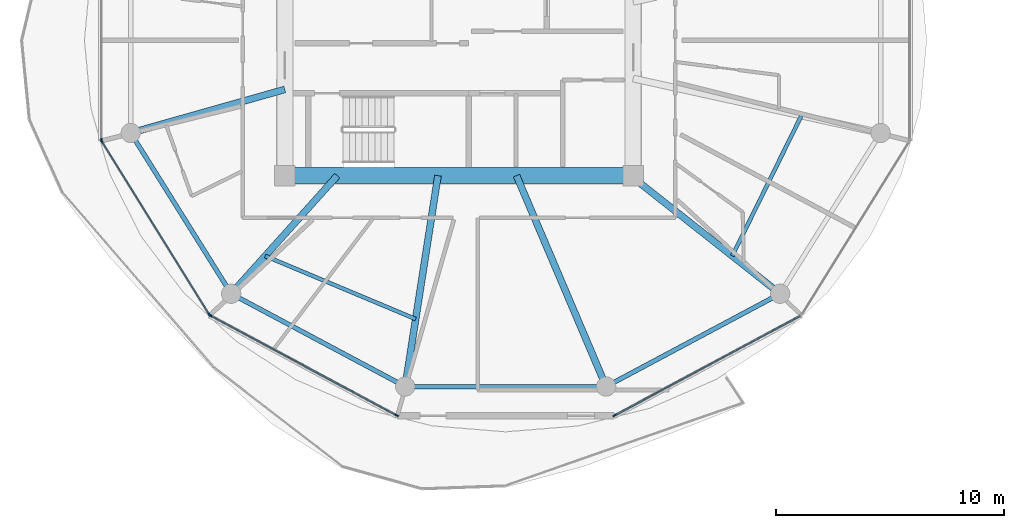
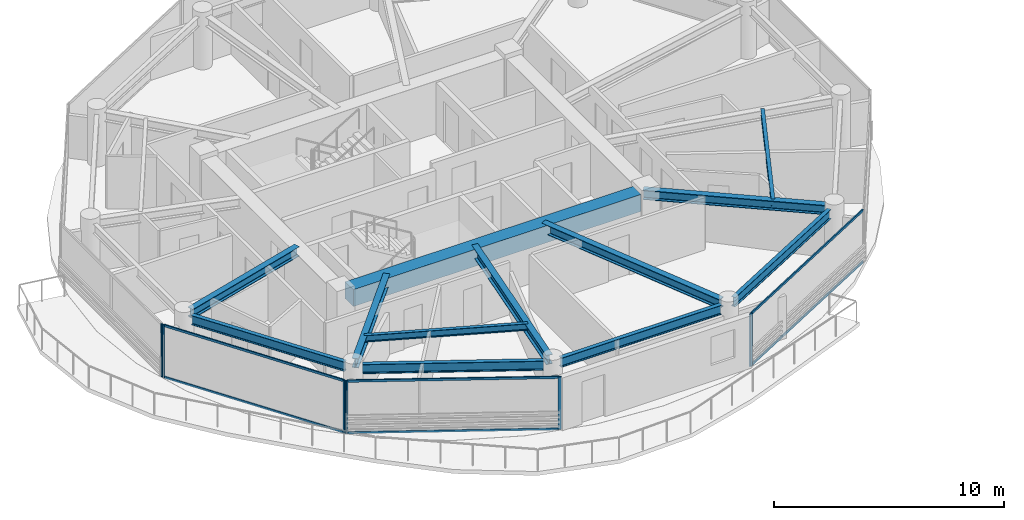
# One storey, part 2 of 24: 12 beams, 12 members, 4 elements without a shape of their own.
"""IFC4 building model written with IfcOpenShell, lengths in metres."""

from ifc_helpers import new_model, si_unit, direction, frame, origin, origin_2d, place, context, subcontext, project, spatial, rectangle, i_section, extrude, source, transform, mapped, material, layer, layer_set, material_profile, profile_set, type_object, type_shapes, element, aggregate, save


model = new_model("IFC4")

# Units and contexts
model_context = context("Model", 3, precision=1e-05, world=origin(), true_north=direction((0.0, 1.0)))
body_context = subcontext(model_context, "Body", "Model", "MODEL_VIEW")
ifc_project = project(units=[si_unit("LENGTHUNIT", "METRE"), si_unit("AREAUNIT", "SQUARE_METRE"), si_unit("VOLUMEUNIT", "CUBIC_METRE"), si_unit("PLANEANGLEUNIT", "RADIAN"), si_unit("MASSUNIT", "GRAM", prefix="KILO")], contexts=[model_context])

# Site, building, storey
site_placement = place(None, origin())
site = spatial("IfcSite", under=ifc_project, at=site_placement, CompositionType="ELEMENT")
building_placement = place(site_placement, origin())
building = spatial("IfcBuilding", under=site, at=building_placement, Name="Norrkilde Senior Care Towers", CompositionType="ELEMENT")
storey_placement = place(building_placement, frame((0.0, 0.0, 102.35009765625)))
storey = spatial("IfcBuildingStorey", under=building, at=storey_placement, Name="L31", CompositionType="ELEMENT", Elevation=102.35009765625)

# Beams
ifc_material_1 = material(Name="Concrete C60/75", Category="concrete")
ifc_material_profile_1 = material_profile(ifc_material_1, rectangle(XDim=0.699951171875, YDim=0.89990234375, at=origin_2d()), Name="RC BM 700x900")
ifc_profile_set_1 = profile_set([ifc_material_profile_1], Name="Concrete C60/75")
beam_type_1 = type_object("IfcBeamType", Name="Core Coupling Girder 700x900", PredefinedType="USERDEFINED", material=ifc_profile_set_1)
shared_shape_1 = source(origin(), body_context, "Body", "SweptSolid", [
    extrude(rectangle(XDim=0.699951171875, YDim=0.89990234375, at=origin_2d()), origin(), (0.0, 0.0, 1.0), 14.43994140625),
])
type_shapes(beam_type_1, [shared_shape_1])
beam_1_placement = place(storey_placement, frame((-35.219970703125, -5.949951171875, 2.33984375), z_axis=(1.0, 0.0, 0.0), x_axis=(0.0, 1.0, 0.0)))
element("IfcBeam", 1, at=beam_1_placement, inside=storey, type_object=beam_type_1, Name="L31 Core W S Coupling Girder", ObjectType="GIRDER", PredefinedType="USERDEFINED", context=body_context, shape_type="MappedRepresentation", body=[
    mapped(shared_shape_1, transform((0.0, 0.0, 0.0), x_axis=(1.0, 0.0, 0.0), y_axis=(0.0, 1.0, 0.0), z_axis=(0.0, 0.0, 1.0), scale=1.0)),
])
ifc_material_2 = material(Name="Steel S355", Category="steel")
ifc_material_profile_2 = material_profile(ifc_material_2, i_section(OverallWidth=0.199951171875, OverallDepth=0.5, WebThickness=0.01025390625, FlangeThickness=0.01611328125, FilletRadius=0.02099609375, at=origin_2d()), Name="IPE 500")
ifc_profile_set_2 = profile_set([ifc_material_profile_2], Name="Steel S355")
beam_type_2 = type_object("IfcBeamType", Name="Perimeter Ring Spandrel Z2 IPE500", PredefinedType="SPANDREL", material=ifc_profile_set_2)
shared_shape_2 = source(origin(), body_context, "Body", "SweptSolid", [
    extrude(i_section(OverallWidth=0.199951171875, OverallDepth=0.5, WebThickness=0.01025390625, FlangeThickness=0.01611328125, FilletRadius=0.02099609375, at=origin_2d()), origin(), (0.0, 0.0, 1.0), 7.892333984375),
])
for number, where, z_axis, x_axis, name in (
    (2, (-37.66650390625, -11.318115234375, 2.539794921875), (0.882350372282, -0.47059305194, 0.0), (0.47059305194, 0.882350372282, 0.0), "L31 Drum W Perimeter Spandrel 08"),
    (3, (-21.197509765625, -15.0322265625, 2.539794921875), (0.882350372282, 0.47059305194, 0.0), (-0.47059305194, 0.882350372282, 0.0), "L31 Drum W Perimeter Spandrel 10"),
):
    element("IfcBeam", number, at=place(storey_placement, frame(where, z_axis=z_axis, x_axis=x_axis)), inside=storey, type_object=beam_type_2, Name=name, PredefinedType="SPANDREL", context=body_context, shape_type="MappedRepresentation", body=[
        mapped(shared_shape_2, transform((0.0, 0.0, 0.0), x_axis=(1.0, 0.0, 0.0), y_axis=(0.0, 1.0, 0.0), z_axis=(0.0, 0.0, 1.0), scale=1.0)),
    ])
ifc_material_profile_3 = material_profile(ifc_material_2, i_section(OverallWidth=0.300048828125, OverallDepth=0.5, WebThickness=0.014404296875, FlangeThickness=0.028076171875, FilletRadius=0.027099609375, at=origin_2d()), Name="HEB 500")
ifc_profile_set_3 = profile_set([ifc_material_profile_3], Name="Steel S355")
beam_type_3 = type_object("IfcBeamType", Name="Radial Floor Beam Z2 HEB500", PredefinedType="BEAM", material=ifc_profile_set_3)
shared_shape_3 = source(origin(), body_context, "Body", "SweptSolid", [
    extrude(i_section(OverallWidth=0.300048828125, OverallDepth=0.5, WebThickness=0.014404296875, FlangeThickness=0.028076171875, FilletRadius=0.027099609375, at=origin_2d()), origin(), (0.0, 0.0, 1.0), 7.985595703125),
])
beam_2_placement = place(storey_placement, frame((-20.463623046875, -5.949951171875, 2.539794921875), z_axis=(0.784858505144, -0.619675017169, 0.0), x_axis=(0.619675017169, 0.784858505144, 0.0)))
element("IfcBeam", 4, at=beam_2_placement, inside=storey, type_object=beam_type_3, Name="L31 Drum W Radial Floor Beam 11", PredefinedType="BEAM", context=body_context, shape_type="MappedRepresentation", body=[
    mapped(shared_shape_3, transform((0.0, 0.0, 0.0), x_axis=(1.0, 0.0, 0.0), y_axis=(0.0, 1.0, 0.0), z_axis=(0.0, 0.0, 1.0), scale=1.0)),
])
shared_shape_4 = source(origin(), body_context, "Body", "SweptSolid", [
    extrude(i_section(OverallWidth=0.199951171875, OverallDepth=0.5, WebThickness=0.01025390625, FlangeThickness=0.01611328125, FilletRadius=0.02099609375, at=origin_2d()), origin(), (0.0, 0.0, 1.0), 8.0556640625),
])
beam_3_placement = place(storey_placement, frame((-29.977783203125, -15.21337890625, 2.539794921875), z_axis=(1.0, 0.0, 0.0), x_axis=(0.0, 1.0, 0.0)))
element("IfcBeam", 5, at=beam_3_placement, inside=storey, type_object=beam_type_2, Name="L31 Drum W Perimeter Spandrel 09", PredefinedType="SPANDREL", context=body_context, shape_type="MappedRepresentation", body=[
    mapped(shared_shape_4, transform((0.0, 0.0, 0.0), x_axis=(1.0, 0.0, 0.0), y_axis=(0.0, 1.0, 0.0), z_axis=(0.0, 0.0, 1.0), scale=1.0)),
])
shared_shape_5 = source(origin(), body_context, "Body", "SweptSolid", [
    extrude(i_section(OverallWidth=0.300048828125, OverallDepth=0.5, WebThickness=0.014404296875, FlangeThickness=0.028076171875, FilletRadius=0.027099609375, at=origin_2d()), origin(), (0.0, 0.0, 1.0), 9.679443359375),
])
beam_4_placement = place(storey_placement, frame((-25.472412109375, -5.949951171875, 2.539794921875), z_axis=(0.390998033479, -0.920391513333, 0.0), x_axis=(0.920391513333, 0.390998033479, 0.0)))
element("IfcBeam", 6, at=beam_4_placement, inside=storey, type_object=beam_type_3, Name="L31 Drum W Radial Floor Beam 10", PredefinedType="BEAM", context=body_context, shape_type="MappedRepresentation", body=[
    mapped(shared_shape_5, transform((0.0, 0.0, 0.0), x_axis=(1.0, 0.0, 0.0), y_axis=(0.0, 1.0, 0.0), z_axis=(0.0, 0.0, 1.0), scale=1.0)),
])
shared_shape_6 = source(origin(), body_context, "Body", "SweptSolid", [
    extrude(i_section(OverallWidth=0.300048828125, OverallDepth=0.5, WebThickness=0.014404296875, FlangeThickness=0.028076171875, FilletRadius=0.027099609375, at=origin_2d()), origin(), (0.0, 0.0, 1.0), 8.989501953125),
])
beam_5_placement = place(storey_placement, frame((-28.924072265625, -5.949951171875, 2.539794921875), z_axis=(-0.153471298636, -0.988153105796, 0.0), x_axis=(0.988153105796, -0.153471298636, 0.0)))
element("IfcBeam", 7, at=beam_5_placement, inside=storey, type_object=beam_type_3, Name="L31 Drum W Radial Floor Beam 09", PredefinedType="BEAM", context=body_context, shape_type="MappedRepresentation", body=[
    mapped(shared_shape_6, transform((0.0, 0.0, 0.0), x_axis=(1.0, 0.0, 0.0), y_axis=(0.0, 1.0, 0.0), z_axis=(0.0, 0.0, 1.0), scale=1.0)),
])
shared_shape_7 = source(origin(), body_context, "Body", "SweptSolid", [
    extrude(i_section(OverallWidth=0.199951171875, OverallDepth=0.5, WebThickness=0.01025390625, FlangeThickness=0.01611328125, FilletRadius=0.02099609375, at=origin_2d()), origin(), (0.0, 0.0, 1.0), 7.556396484375),
])
type_shapes(beam_type_2, [shared_shape_2, shared_shape_4, shared_shape_7])
beam_6_placement = place(storey_placement, frame((-42.215087890625, -4.40283203125, 2.539794921875), z_axis=(0.530004748437, -0.847994673706, 0.0), x_axis=(0.847994673706, 0.530004748437, 0.0)))
element("IfcBeam", 8, at=beam_6_placement, inside=storey, type_object=beam_type_2, Name="L31 Drum W Perimeter Spandrel 07", PredefinedType="SPANDREL", context=body_context, shape_type="MappedRepresentation", body=[
    mapped(shared_shape_7, transform((0.0, 0.0, 0.0), x_axis=(1.0, 0.0, 0.0), y_axis=(0.0, 1.0, 0.0), z_axis=(0.0, 0.0, 1.0), scale=1.0)),
])
shared_shape_8 = source(origin(), body_context, "Body", "SweptSolid", [
    extrude(i_section(OverallWidth=0.300048828125, OverallDepth=0.5, WebThickness=0.014404296875, FlangeThickness=0.028076171875, FilletRadius=0.027099609375, at=origin_2d()), origin(), (0.0, 0.0, 1.0), 6.587890625),
])
beam_7_placement = place(storey_placement, frame((-33.345947265625, -5.949951171875, 2.539794921875), z_axis=(-0.668315438605, -0.743877997068, 0.0), x_axis=(0.743877997068, -0.668315438605, 0.0)))
element("IfcBeam", 9, at=beam_7_placement, inside=storey, type_object=beam_type_3, Name="L31 Drum W Radial Floor Beam 08", PredefinedType="BEAM", context=body_context, shape_type="MappedRepresentation", body=[
    mapped(shared_shape_8, transform((0.0, 0.0, 0.0), x_axis=(1.0, 0.0, 0.0), y_axis=(0.0, 1.0, 0.0), z_axis=(0.0, 0.0, 1.0), scale=1.0)),
])
shared_shape_9 = source(origin(), body_context, "Body", "SweptSolid", [
    extrude(i_section(OverallWidth=0.300048828125, OverallDepth=0.5, WebThickness=0.014404296875, FlangeThickness=0.028076171875, FilletRadius=0.027099609375, at=origin_2d()), origin(), (0.0, 0.0, 1.0), 6.6494140625),
])
type_shapes(beam_type_3, [shared_shape_3, shared_shape_5, shared_shape_6, shared_shape_8, shared_shape_9])
beam_8_placement = place(storey_placement, frame((-35.64990234375, -2.162841796875, 2.539794921875), z_axis=(-0.962289138357, -0.27202870106, 0.0), x_axis=(0.27202870106, -0.962289138357, 0.0)))
element("IfcBeam", 10, at=beam_8_placement, inside=storey, type_object=beam_type_3, Name="L31 Drum W Radial Floor Beam 07", PredefinedType="BEAM", context=body_context, shape_type="MappedRepresentation", body=[
    mapped(shared_shape_9, transform((0.0, 0.0, 0.0), x_axis=(1.0, 0.0, 0.0), y_axis=(0.0, 1.0, 0.0), z_axis=(0.0, 0.0, 1.0), scale=1.0)),
])
ifc_material_profile_4 = material_profile(ifc_material_2, i_section(OverallWidth=0.169921875, OverallDepth=0.360107421875, WebThickness=0.008056640625, FlangeThickness=0.0126953125, FilletRadius=0.01806640625, at=origin_2d()), Name="IPE 360")
ifc_profile_set_4 = profile_set([ifc_material_profile_4], Name="Steel S355")
beam_type_4 = type_object("IfcBeamType", Name="Secondary Floor Joist IPE360", PredefinedType="JOIST", material=ifc_profile_set_4)
shared_shape_10 = source(origin(), body_context, "Body", "SweptSolid", [
    extrude(i_section(OverallWidth=0.169921875, OverallDepth=0.360107421875, WebThickness=0.008056640625, FlangeThickness=0.0126953125, FilletRadius=0.01806640625, at=origin_2d()), origin(), (0.0, 0.0, 1.0), 7.169921875),
])
beam_9_placement = place(storey_placement, frame((-36.514892578125, -9.47705078125, 2.60986328125), z_axis=(0.922240600393, -0.386616444279, 0.0), x_axis=(0.386616444279, 0.922240600393, 0.0)))
element("IfcBeam", 11, at=beam_9_placement, inside=storey, type_object=beam_type_4, Name="L31 Drum W Secondary Floor Joist 3", PredefinedType="JOIST", context=body_context, shape_type="MappedRepresentation", body=[
    mapped(shared_shape_10, transform((0.0, 0.0, 0.0), x_axis=(1.0, 0.0, 0.0), y_axis=(0.0, 1.0, 0.0), z_axis=(0.0, 0.0, 1.0), scale=1.0)),
])
shared_shape_11 = source(origin(), body_context, "Body", "SweptSolid", [
    extrude(i_section(OverallWidth=0.169921875, OverallDepth=0.360107421875, WebThickness=0.008056640625, FlangeThickness=0.0126953125, FilletRadius=0.01806640625, at=origin_2d()), origin(), (0.0, 0.0, 1.0), 6.87353515625),
])
type_shapes(beam_type_4, [shared_shape_10, shared_shape_11])
beam_10_placement = place(storey_placement, frame((-15.99609375, -9.47705078125, 2.60986328125), z_axis=(0.44184939592, 0.897089243791, 0.0), x_axis=(-0.897089243791, 0.44184939592, 0.0)))
element("IfcBeam", 12, at=beam_10_placement, inside=storey, type_object=beam_type_4, Name="L31 Drum W Secondary Floor Joist 4", PredefinedType="JOIST", context=body_context, shape_type="MappedRepresentation", body=[
    mapped(shared_shape_11, transform((0.0, 0.0, 0.0), x_axis=(1.0, 0.0, 0.0), y_axis=(0.0, 1.0, 0.0), z_axis=(0.0, 0.0, 1.0), scale=1.0)),
])

# Curtain wall, member
ifc_material_3 = material(Name="Triple Low-E Insulated Glazing", Category="glass")
ifc_layer = layer(ifc_material_3, 0.195068359375)
ifc_layer_set = layer_set([ifc_layer], Name="Triple Low-E Insulated Glazing")
curtain_wall_type = type_object("IfcCurtainWallType", Name="CW3 Zone 2 Assisted Living Curtain Wall", PredefinedType="NOTDEFINED", material=ifc_layer_set)
curtain_wall_1_placement = place(storey_placement, origin())
curtain_wall_1 = element("IfcCurtainWall", 13, at=curtain_wall_1_placement, inside=storey, type_object=curtain_wall_type, Name="L31 Drum W Curtain Wall 05", PredefinedType="NOTDEFINED")
ifc_material_4 = material(Name="Anodised Aluminium", Category="aluminium")
ifc_material_profile_5 = material_profile(ifc_material_4, rectangle(XDim=0.06494140625, YDim=0.159912109375, at=origin_2d()), Name="ALU MULL 65x160")
ifc_profile_set_5 = profile_set([ifc_material_profile_5], Name="Anodised Aluminium")
member_type_1 = type_object("IfcMemberType", Name="Curtain Wall Mullion Z1-Z2 65x160", PredefinedType="MULLION", material=ifc_profile_set_5)
shared_shape_12 = source(origin(), body_context, "Body", "SweptSolid", [
    extrude(rectangle(XDim=0.06494140625, YDim=0.159912109375, at=origin_2d()), origin(), (0.0, 0.0, 1.0), 2.789794921875),
])
type_shapes(member_type_1, [shared_shape_12])
member_1_placement = place(storey_placement, frame((-43.70361328125, -4.38818359375, 0.0), z_axis=(0.0, 0.0, 1.0), x_axis=(-1.0, 0.0, 0.0)))
member_1 = element("IfcMember", 14, at=member_1_placement, type_object=member_type_1, Name="CW-3 mullion 1", PredefinedType="MULLION", context=body_context, shape_type="MappedRepresentation", body=[
    mapped(shared_shape_12, transform((0.0, 0.0, 0.0), x_axis=(1.0, 0.0, 0.0), y_axis=(0.0, 1.0, 0.0), z_axis=(0.0, 0.0, 1.0), scale=1.0)),
])
aggregate(curtain_wall_1, [member_1])

# Curtain wall, members
curtain_wall_2_placement = place(storey_placement, origin())
curtain_wall_2 = element("IfcCurtainWall", 15, at=curtain_wall_2_placement, inside=storey, type_object=curtain_wall_type, Name="L31 Drum W Curtain Wall 06", PredefinedType="NOTDEFINED")
member_2_placement = place(storey_placement, frame((-38.9638671875, -12.0498046875, 0.0), z_axis=(0.0, 0.0, 1.0), x_axis=(-0.849410171862, -0.527733228002, 0.0)))
member_2 = element("IfcMember", 16, at=member_2_placement, type_object=member_type_1, Name="CW-3 mullion 1", PredefinedType="MULLION", context=body_context, shape_type="MappedRepresentation", body=[
    mapped(shared_shape_12, transform((0.0, 0.0, 0.0), x_axis=(1.0, 0.0, 0.0), y_axis=(0.0, 1.0, 0.0), z_axis=(0.0, 0.0, 1.0), scale=1.0)),
])
member_3_placement = place(storey_placement, frame((-43.6865234375, -4.4482421875, 0.0), z_axis=(0.0, 0.0, 1.0), x_axis=(-0.849410171862, -0.527733228002, 0.0)))
member_3 = element("IfcMember", 17, at=member_3_placement, type_object=member_type_1, Name="CW-3 mullion 2", PredefinedType="MULLION", context=body_context, shape_type="MappedRepresentation", body=[
    mapped(shared_shape_12, transform((0.0, 0.0, 0.0), x_axis=(1.0, 0.0, 0.0), y_axis=(0.0, 1.0, 0.0), z_axis=(0.0, 0.0, 1.0), scale=1.0)),
])

curtain_wall_3_placement = place(storey_placement, origin())
curtain_wall_3 = element("IfcCurtainWall", 18, at=curtain_wall_3_placement, inside=storey, type_object=curtain_wall_type, Name="L31 Drum W Curtain Wall 07", PredefinedType="NOTDEFINED")
member_4_placement = place(storey_placement, frame((-30.73583984375, -16.482666015625, 0.0), z_axis=(0.0, 0.0, 1.0), x_axis=(-0.472769402511, -0.881186184668, 0.0)))
member_4 = element("IfcMember", 19, at=member_4_placement, type_object=member_type_1, Name="CW-3 mullion 1", PredefinedType="MULLION", context=body_context, shape_type="MappedRepresentation", body=[
    mapped(shared_shape_12, transform((0.0, 0.0, 0.0), x_axis=(1.0, 0.0, 0.0), y_axis=(0.0, 1.0, 0.0), z_axis=(0.0, 0.0, 1.0), scale=1.0)),
])
member_5_placement = place(storey_placement, frame((-38.91796875, -12.0927734375, 0.0), z_axis=(0.0, 0.0, 1.0), x_axis=(-0.472769402511, -0.881186184668, 0.0)))
member_5 = element("IfcMember", 20, at=member_5_placement, type_object=member_type_1, Name="CW-3 mullion 2", PredefinedType="MULLION", context=body_context, shape_type="MappedRepresentation", body=[
    mapped(shared_shape_12, transform((0.0, 0.0, 0.0), x_axis=(1.0, 0.0, 0.0), y_axis=(0.0, 1.0, 0.0), z_axis=(0.0, 0.0, 1.0), scale=1.0)),
])

# Curtain wall, member
curtain_wall_4_placement = place(storey_placement, origin())
curtain_wall_4 = element("IfcCurtainWall", 21, at=curtain_wall_4_placement, inside=storey, type_object=curtain_wall_type, Name="L31 Drum W Curtain Wall 09", PredefinedType="NOTDEFINED")
member_6_placement = place(storey_placement, frame((-21.164306640625, -16.482666015625, 0.0), z_axis=(0.0, 0.0, 1.0), x_axis=(0.472769402511, -0.881186184668, 0.0)))
member_6 = element("IfcMember", 22, at=member_6_placement, type_object=member_type_1, Name="CW-3 mullion 2", PredefinedType="MULLION", context=body_context, shape_type="MappedRepresentation", body=[
    mapped(shared_shape_12, transform((0.0, 0.0, 0.0), x_axis=(1.0, 0.0, 0.0), y_axis=(0.0, 1.0, 0.0), z_axis=(0.0, 0.0, 1.0), scale=1.0)),
])

# Member
ifc_material_profile_6 = material_profile(ifc_material_4, rectangle(XDim=0.06005859375, YDim=0.1201171875, at=origin_2d()), Name="ALU TRAN 60x120")
ifc_profile_set_6 = profile_set([ifc_material_profile_6], Name="Anodised Aluminium")
member_type_2 = type_object("IfcMemberType", Name="Curtain Wall Transom Typical 60x120", PredefinedType="USERDEFINED", material=ifc_profile_set_6)
shared_shape_13 = source(origin(), body_context, "Body", "SweptSolid", [
    extrude(rectangle(XDim=0.06005859375, YDim=0.1201171875, at=origin_2d()), origin(), (0.0, 0.0, 1.0), 8.88427734375),
])
member_7_placement = place(storey_placement, frame((-38.98095703125, -12.022216796875, 0.02978515625), z_axis=(-0.527729466743, 0.849412508697, 0.0), x_axis=(-0.849412508697, -0.527729466743, 0.0)))
member_7 = element("IfcMember", 23, at=member_7_placement, type_object=member_type_2, Name="CW-3 transom 1.1", ObjectType="TRANSOM", PredefinedType="USERDEFINED", context=body_context, shape_type="MappedRepresentation", body=[
    mapped(shared_shape_13, transform((0.0, 0.0, 0.0), x_axis=(1.0, 0.0, 0.0), y_axis=(0.0, 1.0, 0.0), z_axis=(0.0, 0.0, 1.0), scale=1.0)),
])

member_8_placement = place(storey_placement, frame((-38.98095703125, -12.022216796875, 2.760009765625), z_axis=(-0.527729466743, 0.849412508697, 0.0), x_axis=(-0.849412508697, -0.527729466743, 0.0)))
member_8 = element("IfcMember", 24, at=member_8_placement, type_object=member_type_2, Name="CW-3 transom 1.2", ObjectType="TRANSOM", PredefinedType="USERDEFINED", context=body_context, shape_type="MappedRepresentation", body=[
    mapped(shared_shape_13, transform((0.0, 0.0, 0.0), x_axis=(1.0, 0.0, 0.0), y_axis=(0.0, 1.0, 0.0), z_axis=(0.0, 0.0, 1.0), scale=1.0)),
])

aggregate(curtain_wall_2, [member_2, member_3, member_7, member_8])

shared_shape_14 = source(origin(), body_context, "Body", "SweptSolid", [
    extrude(rectangle(XDim=0.06005859375, YDim=0.1201171875, at=origin_2d()), origin(), (0.0, 0.0, 1.0), 9.220458984375),
])
type_shapes(member_type_2, [shared_shape_13, shared_shape_14])
member_9_placement = place(storey_placement, frame((-30.764404296875, -16.46728515625, 0.02978515625), z_axis=(-0.881188517866, 0.472765053681, 0.0), x_axis=(-0.472765053681, -0.881188517866, 0.0)))
member_9 = element("IfcMember", 25, at=member_9_placement, type_object=member_type_2, Name="CW-3 transom 1.1", ObjectType="TRANSOM", PredefinedType="USERDEFINED", context=body_context, shape_type="MappedRepresentation", body=[
    mapped(shared_shape_14, transform((0.0, 0.0, 0.0), x_axis=(1.0, 0.0, 0.0), y_axis=(0.0, 1.0, 0.0), z_axis=(0.0, 0.0, 1.0), scale=1.0)),
])

member_10_placement = place(storey_placement, frame((-30.764404296875, -16.46728515625, 2.760009765625), z_axis=(-0.881188517866, 0.472765053681, 0.0), x_axis=(-0.472765053681, -0.881188517866, 0.0)))
member_10 = element("IfcMember", 26, at=member_10_placement, type_object=member_type_2, Name="CW-3 transom 1.2", ObjectType="TRANSOM", PredefinedType="USERDEFINED", context=body_context, shape_type="MappedRepresentation", body=[
    mapped(shared_shape_14, transform((0.0, 0.0, 0.0), x_axis=(1.0, 0.0, 0.0), y_axis=(0.0, 1.0, 0.0), z_axis=(0.0, 0.0, 1.0), scale=1.0)),
])

aggregate(curtain_wall_3, [member_4, member_5, member_9, member_10])

member_11_placement = place(storey_placement, frame((-13.0107421875, -12.108154296875, 0.02978515625), z_axis=(-0.881188517866, -0.472765053681, 0.0), x_axis=(0.472765053681, -0.881188517866, 0.0)))
member_11 = element("IfcMember", 27, at=member_11_placement, type_object=member_type_2, Name="CW-3 transom 1.1", ObjectType="TRANSOM", PredefinedType="USERDEFINED", context=body_context, shape_type="MappedRepresentation", body=[
    mapped(shared_shape_14, transform((0.0, 0.0, 0.0), x_axis=(1.0, 0.0, 0.0), y_axis=(0.0, 1.0, 0.0), z_axis=(0.0, 0.0, 1.0), scale=1.0)),
])

member_12_placement = place(storey_placement, frame((-13.0107421875, -12.108154296875, 2.760009765625), z_axis=(-0.881188517866, -0.472765053681, 0.0), x_axis=(0.472765053681, -0.881188517866, 0.0)))
member_12 = element("IfcMember", 28, at=member_12_placement, type_object=member_type_2, Name="CW-3 transom 1.2", ObjectType="TRANSOM", PredefinedType="USERDEFINED", context=body_context, shape_type="MappedRepresentation", body=[
    mapped(shared_shape_14, transform((0.0, 0.0, 0.0), x_axis=(1.0, 0.0, 0.0), y_axis=(0.0, 1.0, 0.0), z_axis=(0.0, 0.0, 1.0), scale=1.0)),
])

aggregate(curtain_wall_4, [member_6, member_11, member_12])

save(model, "model.ifc")
